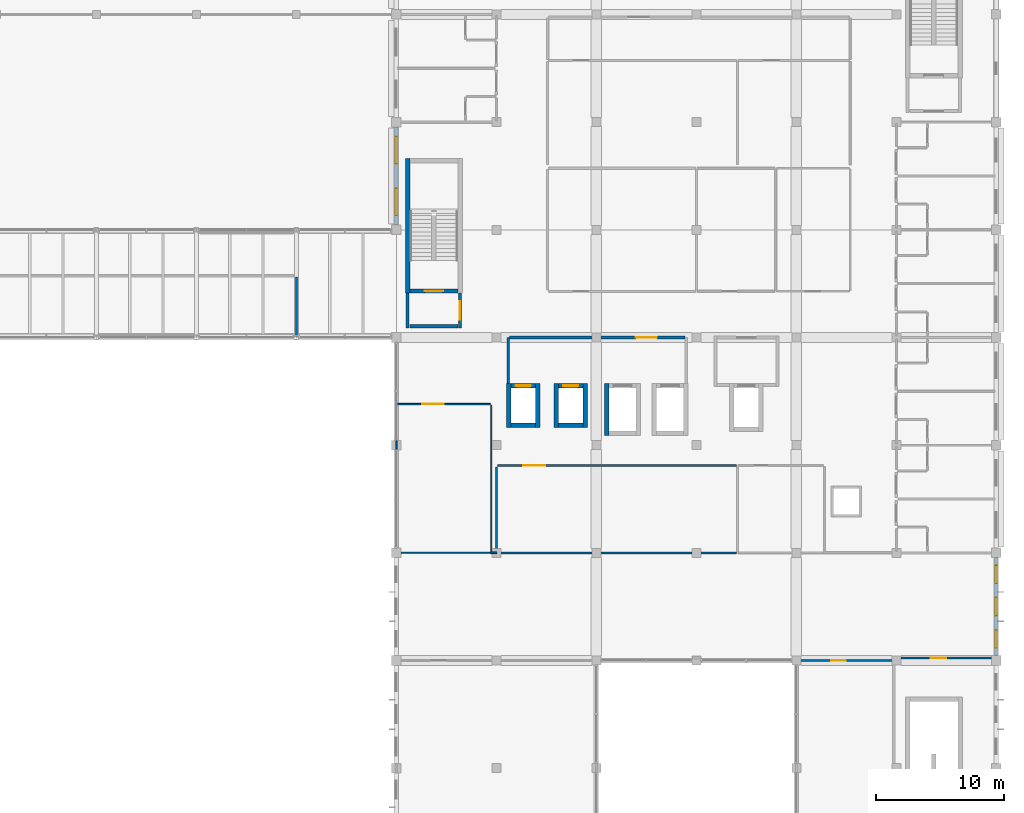
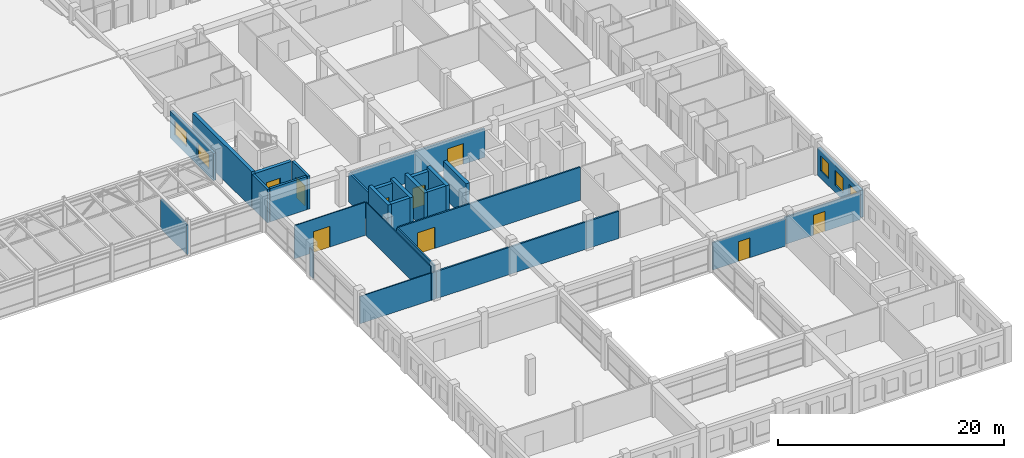
# One storey, part 53 of 72: 29 walls, 9 doors, 5 windows, 14 openings.
"""IFC4 building model written with IfcOpenShell, lengths in metres."""

from ifc_helpers import new_model, si_unit, direction, frame, frame_2d, origin, place, context, subcontext, project, spatial, rectangle, extrude, material, layer, layer_set, type_object, element, fill, save


model = new_model("IFC4")

# Units and contexts
model_context = context("Model", 3, precision=1e-05, world=origin(), true_north=direction((0.0, 1.0)))
body_context = subcontext(model_context, "Body", "Model", "MODEL_VIEW")
ifc_project = project(units=[si_unit("LENGTHUNIT", "METRE"), si_unit("AREAUNIT", "SQUARE_METRE"), si_unit("VOLUMEUNIT", "CUBIC_METRE"), si_unit("PLANEANGLEUNIT", "RADIAN"), si_unit("MASSUNIT", "GRAM", prefix="KILO"), si_unit("THERMODYNAMICTEMPERATUREUNIT", "KELVIN"), si_unit("POWERUNIT", "WATT")], contexts=[model_context])

# Site, building, storey
site_placement = place(None, origin())
site = spatial("IfcSite", under=ifc_project, at=site_placement, CompositionType="ELEMENT")
building_placement = place(site_placement, origin())
building = spatial("IfcBuilding", under=site, at=building_placement, Name="Srebrne Nadtorze General Hospital", CompositionType="ELEMENT")
storey_placement = place(building_placement, frame((0.0, 0.0, 22.199951171875)))
storey = spatial("IfcBuildingStorey", under=building, at=storey_placement, Name="L05", CompositionType="ELEMENT", Elevation=22.199951171875)

# Wall, opening, door
ifc_material_1 = material(Name="Gypsum Healthcare Partition")
ifc_layer_1 = layer(ifc_material_1, 0.139892578125)
ifc_layer_set_1 = layer_set([ifc_layer_1], Name="Gypsum Healthcare Partition")
wall_type_1 = type_object("IfcWallType", Name="Clinical partition 140", PredefinedType="PARTITIONING", material=ifc_layer_set_1)
wall_1_placement = place(storey_placement, frame((140.155029296875, 25.39990234375, 0.0), z_axis=(0.0, 0.0, 1.0), x_axis=(1.0, 0.0, 0.0)))
wall_1 = element("IfcWall", 1, at=wall_1_placement, inside=storey, type_object=wall_type_1, Name="Outpatient Gastroenterology Procedure Unit wall WL-INT-L05-2171", PredefinedType="PARTITIONING", context=body_context, shape_type="SweptSolid", body=[
    extrude(rectangle(XDim=7.760009765625, YDim=0.139892578125, at=frame_2d((3.8798828125, 0.0))), origin(), (0.0, 0.0, 1.0), 2.949951171875),
])
opening_1_placement = place(wall_1_placement, frame((2.943359375, 0.0, 0.0)))
opening_1 = element("IfcOpeningElement", 2, at=opening_1_placement, cuts=wall_1, Name="Opening D-L05-0466", PredefinedType="OPENING", context=body_context, shape_type="SweptSolid", body=[
    extrude(rectangle(XDim=1.199951171875, YDim=2.14990234375, at=frame_2d((0.60009765625, 1.074951171875))), frame((0.0, 0.08203125, 0.0), z_axis=(0.0, -1.0, 0.0), x_axis=(1.0, 0.0, 0.0)), (0.0, 0.0, 1.0), 0.163818359375),
])
ifc_material_2 = material(Name="Anodised Aluminium", Category="aluminium")
door_type_1 = type_object("IfcDoorType", Name="Single leaf door 1200x2150", OperationType="NOTDEFINED", PredefinedType="DOOR", material=ifc_material_2)
door_1_placement = place(opening_1_placement, origin())
door_1 = element("IfcDoor", 3, at=door_1_placement, inside=storey, type_object=door_type_1, Name="Outpatient Gastroenterology Procedure Unit door D-L05-0466", OperationType="SINGLE_SWING_LEFT", OverallHeight=2.14990234375, OverallWidth=1.199951171875, PredefinedType="DOOR", context=body_context, shape_type="SweptSolid", body=[
    extrude(rectangle(XDim=1.199951171875, YDim=2.14990234375, at=frame_2d((0.60009765625, 1.074951171875))), frame((0.0, 0.02490234375, 0.0), z_axis=(0.0, -1.0, 0.0), x_axis=(1.0, 0.0, 0.0)), (0.0, 0.0, 1.0), 0.050048828125),
])
fill(opening_1, door_1)

# Wall
wall_2_placement = place(storey_placement, frame((108.7548828125, 33.60009765625, 0.0), z_axis=(0.0, 0.0, 1.0), x_axis=(1.0, 0.0, 0.0)))
element("IfcWall", 4, at=wall_2_placement, inside=storey, type_object=wall_type_1, Name="Outpatient Gastroenterology Procedure Unit wall WL-INT-L05-2172", PredefinedType="PARTITIONING", context=body_context, shape_type="SweptSolid", body=[
    extrude(rectangle(XDim=0.490234375, YDim=0.139892578125, at=frame_2d((0.2451171875, 0.0))), origin(), (0.0, 0.0, 1.0), 2.949951171875),
])

# Wall, opening, door
ifc_material_3 = material(Name="Gypsum Healthcare Partition")
ifc_layer_2 = layer(ifc_material_3, 0.159912109375)
ifc_layer_set_2 = layer_set([ifc_layer_2], Name="Gypsum Healthcare Partition")
wall_type_2 = type_object("IfcWallType", Name="Clinical partition 160", PredefinedType="PARTITIONING", material=ifc_layer_set_2)
wall_3_placement = place(storey_placement, frame((109.284912109375, 40.39990234375, 0.0), z_axis=(0.0, 0.0, 1.0), x_axis=(1.0, 0.0, 0.0)))
wall_3 = element("IfcWall", 5, at=wall_3_placement, inside=storey, type_object=wall_type_2, Name="Inpatient Family Consultation Room wall WL-INT-L05-2146", PredefinedType="PARTITIONING", context=body_context, shape_type="SweptSolid", body=[
    extrude(rectangle(XDim=18.630126953125, YDim=0.159912109375, at=frame_2d((9.31494140625, 0.0))), origin(), (0.0, 0.0, 1.0), 3.580078125),
])
opening_2_placement = place(wall_3_placement, frame((1.99267578125, 0.0, 0.0)))
opening_2 = element("IfcOpeningElement", 6, at=opening_2_placement, cuts=wall_3, Name="Opening D-L05-0459", PredefinedType="OPENING", context=body_context, shape_type="SweptSolid", body=[
    extrude(rectangle(XDim=1.75, YDim=2.300048828125, at=frame_2d((0.875, 1.14990234375))), frame((0.0, 0.091796875, 0.0), z_axis=(0.0, -1.0, 0.0), x_axis=(1.0, 0.0, 0.0)), (0.0, 0.0, 1.0), 0.183837890625),
])
ifc_material_4 = material(Name="Anodised Aluminium", Category="aluminium")
door_type_2 = type_object("IfcDoorType", Name="Double leaf door 1750x2300", OperationType="DOUBLE_DOOR_SINGLE_SWING", PredefinedType="DOOR", material=ifc_material_4)
door_2_placement = place(opening_2_placement, frame((1.75, 0.0, 0.0), z_axis=(0.0, 0.0, 1.0), x_axis=(-1.0, 0.0, 0.0)))
door_2 = element("IfcDoor", 7, at=door_2_placement, inside=storey, type_object=door_type_2, Name="Inpatient Family Consultation Room door D-L05-0459", OperationType="DOUBLE_DOOR_SINGLE_SWING", OverallHeight=2.300048828125, OverallWidth=1.75, PredefinedType="DOOR", context=body_context, shape_type="SweptSolid", body=[
    extrude(rectangle(XDim=1.75, YDim=2.300048828125, at=frame_2d((0.875, 1.14990234375))), frame((0.0, 0.02490234375, 0.0), z_axis=(0.0, -1.0, 0.0), x_axis=(1.0, 0.0, 0.0)), (0.0, 0.0, 1.0), 0.050048828125),
])
fill(opening_2, door_2)

# Walls
wall_4_placement = place(storey_placement, frame((109.284912109375, 33.60009765625, 0.0), z_axis=(0.0, 0.0, 1.0), x_axis=(1.0, 0.0, 0.0)))
element("IfcWall", 8, at=wall_4_placement, inside=storey, type_object=wall_type_2, Name="Inpatient Family Consultation Room wall WL-INT-L05-2147", PredefinedType="PARTITIONING", context=body_context, shape_type="SweptSolid", body=[
    extrude(rectangle(XDim=18.630126953125, YDim=0.159912109375, at=frame_2d((9.31494140625, 0.0))), origin(), (0.0, 0.0, 1.0), 2.949951171875),
])
wall_5_placement = place(storey_placement, frame((109.199951171875, 33.68505859375, 0.0), z_axis=(0.0, 0.0, 1.0), x_axis=(0.0, 1.0, 0.0)))
element("IfcWall", 9, at=wall_5_placement, inside=storey, type_object=wall_type_2, Name="Inpatient Family Consultation Room wall WL-INT-L05-2148", PredefinedType="PARTITIONING", context=body_context, shape_type="SweptSolid", body=[
    extrude(rectangle(XDim=6.6298828125, YDim=0.159912109375, at=frame_2d((3.31494140625, 0.0))), origin(), (0.0, 0.0, 1.0), 3.580078125),
])

# Wall, opening, door
wall_6_placement = place(storey_placement, frame((132.68505859375, 25.199951171875, 0.0), z_axis=(0.0, 0.0, 1.0), x_axis=(1.0, 0.0, 0.0)))
wall_6 = element("IfcWall", 10, at=wall_6_placement, inside=storey, type_object=wall_type_2, Name="Outpatient Pain Management Clinic wall WL-INT-L05-2167", PredefinedType="PARTITIONING", context=body_context, shape_type="SweptSolid", body=[
    extrude(rectangle(XDim=7.429931640625, YDim=0.159912109375, at=frame_2d((3.71484375, 0.0))), origin(), (0.0, 0.0, 1.0), 2.949951171875),
])
opening_3_placement = place(wall_6_placement, frame((2.6298828125, 0.0, 0.0)))
opening_3 = element("IfcOpeningElement", 11, at=opening_3_placement, cuts=wall_6, Name="Opening D-L05-0465", PredefinedType="OPENING", context=body_context, shape_type="SweptSolid", body=[
    extrude(rectangle(XDim=1.14990234375, YDim=2.14990234375, at=frame_2d((0.574951171875, 1.074951171875))), frame((0.0, 0.091796875, 0.0), z_axis=(0.0, -1.0, 0.0), x_axis=(1.0, 0.0, 0.0)), (0.0, 0.0, 1.0), 0.183837890625),
])
ifc_material_5 = material(Name="Anodised Aluminium", Category="aluminium")
door_type_3 = type_object("IfcDoorType", Name="Single leaf door 1150x2150", OperationType="NOTDEFINED", PredefinedType="DOOR", material=ifc_material_5)
door_3_placement = place(opening_3_placement, frame((1.14990234375, 0.0, 0.0), z_axis=(0.0, 0.0, 1.0), x_axis=(-1.0, 0.0, 0.0)))
door_3 = element("IfcDoor", 12, at=door_3_placement, inside=storey, type_object=door_type_3, Name="Outpatient Pain Management Clinic door D-L05-0465", OperationType="SINGLE_SWING_RIGHT", OverallHeight=2.14990234375, OverallWidth=1.14990234375, PredefinedType="DOOR", context=body_context, shape_type="SweptSolid", body=[
    extrude(rectangle(XDim=1.14990234375, YDim=2.14990234375, at=frame_2d((0.574951171875, 1.074951171875))), frame((0.0, 0.02490234375, 0.0), z_axis=(0.0, -1.0, 0.0), x_axis=(1.0, 0.0, 0.0)), (0.0, 0.0, 1.0), 0.050048828125),
])
fill(opening_3, door_3)

# Walls
wall_7_placement = place(storey_placement, frame((93.60009765625, 50.485107421875, 0.0), z_axis=(0.0, 0.0, 1.0), x_axis=(0.0, 1.0, 0.0)))
element("IfcWall", 13, at=wall_7_placement, inside=storey, type_object=wall_type_2, Name="Patient Wintergarden Day Lounge wall WL-INT-L05-2177", PredefinedType="PARTITIONING", context=body_context, shape_type="SweptSolid", body=[
    extrude(rectangle(XDim=4.6298828125, YDim=0.159912109375, at=frame_2d((2.31494140625, 0.0))), origin(), (0.0, 0.0, 1.0), 3.199951171875),
])
ifc_material_6 = material(Name="Gypsum Healthcare Partition")
ifc_layer_3 = layer(ifc_material_6, 0.199951171875)
ifc_layer_set_3 = layer_set([ifc_layer_3], Name="Gypsum Healthcare Partition")
wall_type_3 = type_object("IfcWallType", Name="Compartment wall 200", PredefinedType="STANDARD", material=ifc_layer_set_3)
wall_8_placement = place(storey_placement, frame((110.1298828125, 46.81005859375, 0.0), z_axis=(0.0, 0.0, 1.0), x_axis=(0.0, 1.0, 0.0)))
element("IfcWall", 14, at=wall_8_placement, inside=storey, type_object=wall_type_3, Name="Lift lobby side wall WL-INT-L05-1106", PredefinedType="STANDARD", context=body_context, shape_type="SweptSolid", body=[
    extrude(rectangle(XDim=3.58984375, YDim=0.199951171875, at=frame_2d((1.794921875, 0.0))), origin(), (0.0, 0.0, 1.0), 3.10009765625),
])

# Wall, opening, door
wall_9_placement = place(storey_placement, frame((110.22998046875, 50.39990234375, 0.0), z_axis=(0.0, 0.0, 1.0), x_axis=(1.0, 0.0, 0.0)))
wall_9 = element("IfcWall", 15, at=wall_9_placement, inside=storey, type_object=wall_type_3, Name="Lift lobby corridor wall WL-INT-L05-1108", PredefinedType="STANDARD", context=body_context, shape_type="SweptSolid", body=[
    extrude(rectangle(XDim=13.68994140625, YDim=0.199951171875, at=frame_2d((6.844970703125, 0.0))), origin(), (0.0, 0.0, 1.0), 3.10009765625),
])
opening_4_placement = place(wall_9_placement, frame((9.844970703125, 0.0, 0.0)))
opening_4 = element("IfcOpeningElement", 16, at=opening_4_placement, cuts=wall_9, Name="Opening D-L05-0151", PredefinedType="OPENING", context=body_context, shape_type="SweptSolid", body=[
    extrude(rectangle(XDim=1.64990234375, YDim=2.25, at=frame_2d((0.824951171875, 1.125))), frame((0.0, 0.11181640625, 0.0), z_axis=(0.0, -1.0, 0.0), x_axis=(1.0, 0.0, 0.0)), (0.0, 0.0, 1.0), 0.223876953125),
])
ifc_material_7 = material(Name="Anodised Aluminium", Category="aluminium")
door_type_4 = type_object("IfcDoorType", Name="Double leaf door 1650x2250", OperationType="DOUBLE_DOOR_SINGLE_SWING", PredefinedType="DOOR", material=ifc_material_7)
door_4_placement = place(opening_4_placement, origin())
door_4 = element("IfcDoor", 17, at=door_4_placement, inside=storey, type_object=door_type_4, Name="Lift lobby corridor door D-L05-0151", OperationType="DOUBLE_DOOR_SINGLE_SWING", OverallHeight=2.25, OverallWidth=1.64990234375, PredefinedType="DOOR", context=body_context, shape_type="SweptSolid", body=[
    extrude(rectangle(XDim=1.64990234375, YDim=2.25, at=frame_2d((0.824951171875, 1.125))), frame((0.0, 0.02490234375, 0.0), z_axis=(0.0, -1.0, 0.0), x_axis=(1.0, 0.0, 0.0)), (0.0, 0.0, 1.0), 0.050048828125),
])
fill(opening_4, door_4)

# Wall
ifc_material_8 = material(Name="Gypsum Healthcare Partition")
ifc_layer_4 = layer(ifc_material_8, 0.239990234375)
ifc_layer_set_4 = layer_set([ifc_layer_4], Name="Gypsum Healthcare Partition")
wall_type_4 = type_object("IfcWallType", Name="Corridor fire wall 240", PredefinedType="STANDARD", material=ifc_layer_set_4)
wall_10_placement = place(storey_placement, frame((102.27490234375, 51.155029296875, 0.0), z_axis=(0.0, 0.0, 1.0), x_axis=(0.0, 1.0, 0.0)))
element("IfcWall", 18, at=wall_10_placement, inside=storey, type_object=wall_type_4, Name="Fire lobby wall ST-03 WL-INT-L05-0357", PredefinedType="STANDARD", context=body_context, shape_type="SweptSolid", body=[
    extrude(rectangle(XDim=2.695068359375, YDim=0.239990234375, at=frame_2d((1.34765625, 0.0))), origin(), (0.0, 0.0, 1.0), 3.60009765625),
])

# Wall, opening, door
wall_11_placement = place(storey_placement, frame((106.375, 51.155029296875, 0.0), z_axis=(0.0, 0.0, 1.0), x_axis=(0.0, 1.0, 0.0)))
wall_11 = element("IfcWall", 19, at=wall_11_placement, inside=storey, type_object=wall_type_4, Name="Fire lobby wall ST-03 WL-INT-L05-0358", PredefinedType="STANDARD", context=body_context, shape_type="SweptSolid", body=[
    extrude(rectangle(XDim=2.695068359375, YDim=0.239990234375, at=frame_2d((1.34765625, 0.0))), origin(), (0.0, 0.0, 1.0), 3.60009765625),
])
opening_5_placement = place(wall_11_placement, frame((0.62255859375, 0.0, 0.0)))
opening_5 = element("IfcOpeningElement", 20, at=opening_5_placement, cuts=wall_11, Name="Opening D-L05-0090", PredefinedType="OPENING", context=body_context, shape_type="SweptSolid", body=[
    extrude(rectangle(XDim=1.449951171875, YDim=2.199951171875, at=frame_2d((0.72509765625, 1.10009765625))), frame((0.0, 0.1318359375, 0.0), z_axis=(0.0, -1.0, 0.0), x_axis=(1.0, 0.0, 0.0)), (0.0, 0.0, 1.0), 0.263916015625),
])
ifc_material_9 = material(Name="Anodised Aluminium", Category="aluminium")
door_type_5 = type_object("IfcDoorType", Name="Double leaf door 1450x2200", OperationType="DOUBLE_DOOR_SINGLE_SWING", PredefinedType="DOOR", material=ifc_material_9)
door_5_placement = place(opening_5_placement, origin())
door_5 = element("IfcDoor", 21, at=door_5_placement, inside=storey, type_object=door_type_5, Name="Fire lobby door ST-03 D-L05-0090", OperationType="DOUBLE_DOOR_SINGLE_SWING", OverallHeight=2.199951171875, OverallWidth=1.449951171875, PredefinedType="DOOR", context=body_context, shape_type="SweptSolid", body=[
    extrude(rectangle(XDim=1.449951171875, YDim=2.199951171875, at=frame_2d((0.72509765625, 1.10009765625))), frame((0.0, 0.02490234375, 0.0), z_axis=(0.0, -1.0, 0.0), x_axis=(1.0, 0.0, 0.0)), (0.0, 0.0, 1.0), 0.050048828125),
])
fill(opening_5, door_5)

# Wall
wall_12_placement = place(storey_placement, frame((102.449951171875, 51.27490234375, 0.0), z_axis=(0.0, 0.0, 1.0), x_axis=(1.0, 0.0, 0.0)))
element("IfcWall", 22, at=wall_12_placement, inside=storey, type_object=wall_type_4, Name="Fire lobby entry wall ST-03 WL-INT-L05-0359", PredefinedType="STANDARD", context=body_context, shape_type="SweptSolid", body=[
    extrude(rectangle(XDim=3.75, YDim=0.239990234375, at=frame_2d((1.875, 0.0))), origin(), (0.0, 0.0, 1.0), 3.60009765625),
])

# Wall, openings, windows
ifc_material_10 = material(Name="Concrete C40/50 precast", Category="concrete")
ifc_layer_5 = layer(ifc_material_10, 0.300048828125)
ifc_layer_set_5 = layer_set([ifc_layer_5], Name="Concrete C40/50 precast")
wall_type_5 = type_object("IfcWallType", Name="Limestone precast wall 300", PredefinedType="STANDARD", material=ifc_layer_set_5)
wall_13_placement = place(storey_placement, frame((148.199951171875, 25.574951171875, 0.0), z_axis=(0.0, 0.0, 1.0), x_axis=(0.0, 1.0, 0.0)))
wall_13 = element("IfcWall", 23, at=wall_13_placement, inside=storey, type_object=wall_type_5, Name="Exterior wall WL-ENV-L05-0452", PredefinedType="STANDARD", context=body_context, shape_type="SweptSolid", body=[
    extrude(rectangle(XDim=7.650146484375, YDim=0.300048828125, at=frame_2d((3.8251953125, 0.0))), origin(), (0.0, 0.0, 1.0), 2.949951171875),
])
opening_6_placement = place(wall_13_placement, frame((0.60498046875, 0.0, 0.800048828125)))
opening_6 = element("IfcOpeningElement", 24, at=opening_6_placement, cuts=wall_13, Name="Opening WN-L05-0738", PredefinedType="OPENING", context=body_context, shape_type="SweptSolid", body=[
    extrude(rectangle(XDim=1.39990234375, YDim=1.60009765625, at=frame_2d((0.699951171875, 0.800048828125))), frame((0.0, 0.162109375, 0.0), z_axis=(0.0, -1.0, 0.0), x_axis=(1.0, 0.0, 0.0)), (0.0, 0.0, 1.0), 0.323974609375),
])
opening_7_placement = place(wall_13_placement, frame((3.125, 0.0, 0.800048828125)))
opening_7 = element("IfcOpeningElement", 25, at=opening_7_placement, cuts=wall_13, Name="Opening WN-L05-0739", PredefinedType="OPENING", context=body_context, shape_type="SweptSolid", body=[
    extrude(rectangle(XDim=1.39990234375, YDim=1.60009765625, at=frame_2d((0.699951171875, 0.800048828125))), frame((0.0, 0.162109375, 0.0), z_axis=(0.0, -1.0, 0.0), x_axis=(1.0, 0.0, 0.0)), (0.0, 0.0, 1.0), 0.323974609375),
])
opening_8_placement = place(wall_13_placement, frame((5.64501953125, 0.0, 0.800048828125)))
opening_8 = element("IfcOpeningElement", 26, at=opening_8_placement, cuts=wall_13, Name="Opening WN-L05-0740", PredefinedType="OPENING", context=body_context, shape_type="SweptSolid", body=[
    extrude(rectangle(XDim=1.39990234375, YDim=1.60009765625, at=frame_2d((0.699951171875, 0.800048828125))), frame((0.0, 0.162109375, 0.0), z_axis=(0.0, -1.0, 0.0), x_axis=(1.0, 0.0, 0.0)), (0.0, 0.0, 1.0), 0.323974609375),
])
ifc_material_11 = material(Name="Triple Low-E Glazing", Category="glass")
window_type_1 = type_object("IfcWindowType", Name="Punched clinical window 1400x1600", PartitioningType="SINGLE_PANEL", PredefinedType="WINDOW", material=ifc_material_11)
window_1_placement = place(opening_6_placement, origin())
window_1 = element("IfcWindow", 27, at=window_1_placement, inside=storey, type_object=window_type_1, Name="Clinical window WN-L05-0738", OverallHeight=1.60009765625, OverallWidth=1.39990234375, PartitioningType="SINGLE_PANEL", PredefinedType="WINDOW", context=body_context, shape_type="SweptSolid", body=[
    extrude(rectangle(XDim=1.39990234375, YDim=1.60009765625, at=frame_2d((0.699951171875, 0.800048828125))), frame((0.0, 0.030029296875, 0.0), z_axis=(0.0, -1.0, 0.0), x_axis=(1.0, 0.0, 0.0)), (0.0, 0.0, 1.0), 0.06005859375),
])
fill(opening_6, window_1)
window_2_placement = place(opening_7_placement, origin())
window_2 = element("IfcWindow", 28, at=window_2_placement, inside=storey, type_object=window_type_1, Name="Clinical window WN-L05-0739", OverallHeight=1.60009765625, OverallWidth=1.39990234375, PartitioningType="SINGLE_PANEL", PredefinedType="WINDOW", context=body_context, shape_type="SweptSolid", body=[
    extrude(rectangle(XDim=1.39990234375, YDim=1.60009765625, at=frame_2d((0.699951171875, 0.800048828125))), frame((0.0, 0.030029296875, 0.0), z_axis=(0.0, -1.0, 0.0), x_axis=(1.0, 0.0, 0.0)), (0.0, 0.0, 1.0), 0.06005859375),
])
fill(opening_7, window_2)
window_3_placement = place(opening_8_placement, origin())
window_3 = element("IfcWindow", 29, at=window_3_placement, inside=storey, type_object=window_type_1, Name="Clinical window WN-L05-0740", OverallHeight=1.60009765625, OverallWidth=1.39990234375, PartitioningType="SINGLE_PANEL", PredefinedType="WINDOW", context=body_context, shape_type="SweptSolid", body=[
    extrude(rectangle(XDim=1.39990234375, YDim=1.60009765625, at=frame_2d((0.699951171875, 0.800048828125))), frame((0.0, 0.030029296875, 0.0), z_axis=(0.0, -1.0, 0.0), x_axis=(1.0, 0.0, 0.0)), (0.0, 0.0, 1.0), 0.06005859375),
])
fill(opening_8, window_3)

# Wall, opening, door
ifc_material_12 = material(Name="Gypsum Healthcare Partition")
ifc_layer_6 = layer(ifc_material_12, 0.10009765625)
ifc_layer_set_6 = layer_set([ifc_layer_6], Name="Gypsum Healthcare Partition")
wall_type_6 = type_object("IfcWallType", Name="Shaft lining wall 100", PredefinedType="PARTITIONING", material=ifc_layer_set_6)
wall_14_placement = place(storey_placement, frame((101.485107421875, 45.199951171875, 0.0), z_axis=(0.0, 0.0, 1.0), x_axis=(1.0, 0.0, 0.0)))
wall_14 = element("IfcWall", 30, at=wall_14_placement, inside=storey, type_object=wall_type_6, Name="Ward Clinical Pharmacy Satellite wall WL-INT-L05-2142", PredefinedType="PARTITIONING", context=body_context, shape_type="SweptSolid", body=[
    extrude(rectangle(XDim=7.22998046875, YDim=0.10009765625, at=frame_2d((3.614990234375, 0.0))), origin(), (0.0, 0.0, 1.0), 3.580078125),
])
opening_9_placement = place(wall_14_placement, frame((1.943359375, 0.0, 0.0)))
opening_9 = element("IfcOpeningElement", 31, at=opening_9_placement, cuts=wall_14, Name="Opening D-L05-0458", PredefinedType="OPENING", context=body_context, shape_type="SweptSolid", body=[
    extrude(rectangle(XDim=1.64990234375, YDim=2.25, at=frame_2d((0.824951171875, 1.125))), frame((0.0, 0.06201171875, 0.0), z_axis=(0.0, -1.0, 0.0), x_axis=(1.0, 0.0, 0.0)), (0.0, 0.0, 1.0), 0.1240234375),
])
door_6_placement = place(opening_9_placement, frame((1.64990234375, 0.0, 0.0), z_axis=(0.0, 0.0, 1.0), x_axis=(-1.0, 0.0, 0.0)))
door_6 = element("IfcDoor", 32, at=door_6_placement, inside=storey, type_object=door_type_4, Name="Ward Clinical Pharmacy Satellite door D-L05-0458", OperationType="DOUBLE_DOOR_SINGLE_SWING", OverallHeight=2.25, OverallWidth=1.64990234375, PredefinedType="DOOR", context=body_context, shape_type="SweptSolid", body=[
    extrude(rectangle(XDim=1.64990234375, YDim=2.25, at=frame_2d((0.824951171875, 1.125))), frame((0.0, 0.02490234375, 0.0), z_axis=(0.0, -1.0, 0.0), x_axis=(1.0, 0.0, 0.0)), (0.0, 0.0, 1.0), 0.050048828125),
])
fill(opening_9, door_6)

# Walls
wall_15_placement = place(storey_placement, frame((101.485107421875, 33.60009765625, 0.0), z_axis=(0.0, 0.0, 1.0), x_axis=(1.0, 0.0, 0.0)))
element("IfcWall", 33, at=wall_15_placement, inside=storey, type_object=wall_type_6, Name="Ward Clinical Pharmacy Satellite wall WL-INT-L05-2143", PredefinedType="PARTITIONING", context=body_context, shape_type="SweptSolid", body=[
    extrude(rectangle(XDim=7.22998046875, YDim=0.10009765625, at=frame_2d((3.614990234375, 0.0))), origin(), (0.0, 0.0, 1.0), 2.949951171875),
])
wall_16_placement = place(storey_placement, frame((101.39990234375, 41.6650390625, 0.0), z_axis=(0.0, 0.0, 1.0), x_axis=(0.0, 1.0, 0.0)))
element("IfcWall", 34, at=wall_16_placement, inside=storey, type_object=wall_type_6, Name="Ward Clinical Pharmacy Satellite wall WL-INT-L05-2144", PredefinedType="PARTITIONING", context=body_context, shape_type="SweptSolid", body=[
    extrude(rectangle(XDim=0.669921875, YDim=0.10009765625, at=frame_2d((0.3349609375, 0.0))), origin(), (0.0, 0.0, 1.0), 2.949951171875),
])
wall_17_placement = place(storey_placement, frame((108.800048828125, 33.68505859375, 0.0), z_axis=(0.0, 0.0, 1.0), x_axis=(0.0, 1.0, 0.0)))
element("IfcWall", 35, at=wall_17_placement, inside=storey, type_object=wall_type_6, Name="Ward Clinical Pharmacy Satellite wall WL-INT-L05-2145", PredefinedType="PARTITIONING", context=body_context, shape_type="SweptSolid", body=[
    extrude(rectangle(XDim=11.429931640625, YDim=0.10009765625, at=frame_2d((5.71484375, 0.0))), origin(), (0.0, 0.0, 1.0), 3.580078125),
])
ifc_material_13 = material(Name="Concrete C40/50", Category="concrete")
ifc_layer_7 = layer(ifc_material_13, 0.35009765625)
ifc_layer_set_7 = layer_set([ifc_layer_7], Name="Concrete C40/50")
wall_type_7 = type_object("IfcWallType", Name="Shear core wall 350", PredefinedType="SHEAR", material=ifc_layer_set_7)
wall_18_placement = place(storey_placement, frame((102.27490234375, 53.85009765625, 0.0), z_axis=(0.0, 0.0, 1.0), x_axis=(0.0, 1.0, 0.0)))
element("IfcWall", 36, at=wall_18_placement, inside=storey, type_object=wall_type_7, Name="Stair core wall ST-03 WL-INT-L05-0353", PredefinedType="SHEAR", context=body_context, shape_type="SweptSolid", body=[
    extrude(rectangle(XDim=10.5, YDim=0.35009765625, at=frame_2d((5.25, 0.0))), origin(), (0.0, 0.0, 1.0), 3.900146484375),
])

# Wall, opening, door
wall_19_placement = place(storey_placement, frame((102.449951171875, 54.02490234375, 0.0), z_axis=(0.0, 0.0, 1.0), x_axis=(1.0, 0.0, 0.0)))
wall_19 = element("IfcWall", 37, at=wall_19_placement, inside=storey, type_object=wall_type_7, Name="Stairwell fire wall ST-03 WL-INT-L05-0356", PredefinedType="SHEAR", context=body_context, shape_type="SweptSolid", body=[
    extrude(rectangle(XDim=3.75, YDim=0.35009765625, at=frame_2d((1.875, 0.0))), origin(), (0.0, 0.0, 1.0), 3.60009765625),
])
opening_10_placement = place(wall_19_placement, frame((1.14990234375, 0.0, 0.0)))
opening_10 = element("IfcOpeningElement", 38, at=opening_10_placement, cuts=wall_19, Name="Opening D-L05-0089", PredefinedType="OPENING", context=body_context, shape_type="SweptSolid", body=[
    extrude(rectangle(XDim=1.449951171875, YDim=2.199951171875, at=frame_2d((0.72509765625, 1.10009765625))), frame((0.0, 0.18701171875, 0.0), z_axis=(0.0, -1.0, 0.0), x_axis=(1.0, 0.0, 0.0)), (0.0, 0.0, 1.0), 0.3740234375),
])
door_7_placement = place(opening_10_placement, origin())
door_7 = element("IfcDoor", 39, at=door_7_placement, inside=storey, type_object=door_type_5, Name="Protected stair door ST-03 D-L05-0089", OperationType="DOUBLE_DOOR_SINGLE_SWING", OverallHeight=2.199951171875, OverallWidth=1.449951171875, PredefinedType="DOOR", context=body_context, shape_type="SweptSolid", body=[
    extrude(rectangle(XDim=1.449951171875, YDim=2.199951171875, at=frame_2d((0.72509765625, 1.10009765625))), frame((0.0, 0.02490234375, 0.0), z_axis=(0.0, -1.0, 0.0), x_axis=(1.0, 0.0, 0.0)), (0.0, 0.0, 1.0), 0.050048828125),
])
fill(opening_10, door_7)

# Walls
for number, where, z_axis, x_axis, name in (
    (40, (110.175048828125, 43.360107421875, 0.0), (0.0, 0.0, 1.0), (0.0, 1.0, 0.0), "Lift shaft wall LP-03 WL-INT-L05-0722"),
    (41, (112.425048828125, 43.360107421875, 0.0), (0.0, 0.0, 1.0), (0.0, 1.0, 0.0), "Lift shaft wall LP-03 WL-INT-L05-0723"),
):
    element("IfcWall", number, at=place(storey_placement, frame(where, z_axis=z_axis, x_axis=x_axis)), inside=storey, type_object=wall_type_7, Name=name, PredefinedType="SHEAR", context=body_context, shape_type="SweptSolid", body=[
        extrude(rectangle(XDim=3.449951171875, YDim=0.35009765625, at=frame_2d((1.72509765625, 0.0))), origin(), (0.0, 0.0, 1.0), 3.900146484375),
    ])
wall_20_placement = place(storey_placement, frame((110.35009765625, 43.534912109375, 0.0), z_axis=(0.0, 0.0, 1.0), x_axis=(1.0, 0.0, 0.0)))
element("IfcWall", 42, at=wall_20_placement, inside=storey, type_object=wall_type_7, Name="Lift shaft back wall LP-03 WL-INT-L05-0724", PredefinedType="SHEAR", context=body_context, shape_type="SweptSolid", body=[
    extrude(rectangle(XDim=1.89990234375, YDim=0.35009765625, at=frame_2d((0.949951171875, 0.0))), origin(), (0.0, 0.0, 1.0), 3.900146484375),
])

# Wall, opening, door
wall_21_placement = place(storey_placement, frame((110.35009765625, 46.635009765625, 0.0), z_axis=(0.0, 0.0, 1.0), x_axis=(1.0, 0.0, 0.0)))
wall_21 = element("IfcWall", 43, at=wall_21_placement, inside=storey, type_object=wall_type_7, Name="Lift shaft front wall LP-03 WL-INT-L05-0725", PredefinedType="SHEAR", context=body_context, shape_type="SweptSolid", body=[
    extrude(rectangle(XDim=1.89990234375, YDim=0.35009765625, at=frame_2d((0.949951171875, 0.0))), origin(), (0.0, 0.0, 1.0), 3.60009765625),
])
opening_11_placement = place(wall_21_placement, frame((0.35009765625, 0.0, 0.0)))
opening_11 = element("IfcOpeningElement", 44, at=opening_11_placement, cuts=wall_21, Name="Opening LD-L05-065", PredefinedType="OPENING", context=body_context, shape_type="SweptSolid", body=[
    extrude(rectangle(XDim=1.199951171875, YDim=2.199951171875, at=frame_2d((0.60009765625, 1.10009765625))), frame((0.0, 0.18701171875, 0.0), z_axis=(0.0, -1.0, 0.0), x_axis=(1.0, 0.0, 0.0)), (0.0, 0.0, 1.0), 0.3740234375),
])
ifc_material_14 = material(Name="Anodised Aluminium", Category="aluminium")
door_type_6 = type_object("IfcDoorType", Name="Sliding lift door 1200x2200", OperationType="SLIDING_TO_LEFT", PredefinedType="DOOR", material=ifc_material_14)
door_8_placement = place(opening_11_placement, origin())
door_8 = element("IfcDoor", 45, at=door_8_placement, inside=storey, type_object=door_type_6, Name="Lift Landing Door LD-L05-065", OperationType="SLIDING_TO_LEFT", OverallHeight=2.199951171875, OverallWidth=1.199951171875, PredefinedType="DOOR", context=body_context, shape_type="SweptSolid", body=[
    extrude(rectangle(XDim=1.199951171875, YDim=2.199951171875, at=frame_2d((0.60009765625, 1.10009765625))), frame((0.0, 0.02490234375, 0.0), z_axis=(0.0, -1.0, 0.0), x_axis=(1.0, 0.0, 0.0)), (0.0, 0.0, 1.0), 0.050048828125),
])
fill(opening_11, door_8)

# Walls
for number, where, z_axis, x_axis, name in (
    (46, (113.875, 43.360107421875, 0.0), (0.0, 0.0, 1.0), (0.0, 1.0, 0.0), "Lift shaft wall LP-04 WL-INT-L05-0754"),
    (47, (116.125, 43.360107421875, 0.0), (0.0, 0.0, 1.0), (0.0, 1.0, 0.0), "Lift shaft wall LP-04 WL-INT-L05-0755"),
):
    element("IfcWall", number, at=place(storey_placement, frame(where, z_axis=z_axis, x_axis=x_axis)), inside=storey, type_object=wall_type_7, Name=name, PredefinedType="SHEAR", context=body_context, shape_type="SweptSolid", body=[
        extrude(rectangle(XDim=3.449951171875, YDim=0.35009765625, at=frame_2d((1.72509765625, 0.0))), origin(), (0.0, 0.0, 1.0), 3.900146484375),
    ])
wall_22_placement = place(storey_placement, frame((114.050048828125, 43.534912109375, 0.0), z_axis=(0.0, 0.0, 1.0), x_axis=(1.0, 0.0, 0.0)))
element("IfcWall", 48, at=wall_22_placement, inside=storey, type_object=wall_type_7, Name="Lift shaft back wall LP-04 WL-INT-L05-0756", PredefinedType="SHEAR", context=body_context, shape_type="SweptSolid", body=[
    extrude(rectangle(XDim=1.89990234375, YDim=0.35009765625, at=frame_2d((0.949951171875, 0.0))), origin(), (0.0, 0.0, 1.0), 3.900146484375),
])

# Wall, opening, door
wall_23_placement = place(storey_placement, frame((114.050048828125, 46.635009765625, 0.0), z_axis=(0.0, 0.0, 1.0), x_axis=(1.0, 0.0, 0.0)))
wall_23 = element("IfcWall", 49, at=wall_23_placement, inside=storey, type_object=wall_type_7, Name="Lift shaft front wall LP-04 WL-INT-L05-0757", PredefinedType="SHEAR", context=body_context, shape_type="SweptSolid", body=[
    extrude(rectangle(XDim=1.89990234375, YDim=0.35009765625, at=frame_2d((0.949951171875, 0.0))), origin(), (0.0, 0.0, 1.0), 3.60009765625),
])
opening_12_placement = place(wall_23_placement, frame((0.35009765625, 0.0, 0.0)))
opening_12 = element("IfcOpeningElement", 50, at=opening_12_placement, cuts=wall_23, Name="Opening LD-L05-073", PredefinedType="OPENING", context=body_context, shape_type="SweptSolid", body=[
    extrude(rectangle(XDim=1.199951171875, YDim=2.199951171875, at=frame_2d((0.60009765625, 1.10009765625))), frame((0.0, 0.18701171875, 0.0), z_axis=(0.0, -1.0, 0.0), x_axis=(1.0, 0.0, 0.0)), (0.0, 0.0, 1.0), 0.3740234375),
])
door_9_placement = place(opening_12_placement, origin())
door_9 = element("IfcDoor", 51, at=door_9_placement, inside=storey, type_object=door_type_6, Name="Lift Landing Door LD-L05-073", OperationType="SLIDING_TO_LEFT", OverallHeight=2.199951171875, OverallWidth=1.199951171875, PredefinedType="DOOR", context=body_context, shape_type="SweptSolid", body=[
    extrude(rectangle(XDim=1.199951171875, YDim=2.199951171875, at=frame_2d((0.60009765625, 1.10009765625))), frame((0.0, 0.02490234375, 0.0), z_axis=(0.0, -1.0, 0.0), x_axis=(1.0, 0.0, 0.0)), (0.0, 0.0, 1.0), 0.050048828125),
])
fill(opening_12, door_9)

# Wall
wall_24_placement = place(storey_placement, frame((117.824951171875, 42.760009765625, 0.0), z_axis=(0.0, 0.0, 1.0), x_axis=(0.0, 1.0, 0.0)))
element("IfcWall", 52, at=wall_24_placement, inside=storey, type_object=wall_type_7, Name="Lift shaft wall LS-03 WL-INT-L05-0786", PredefinedType="SHEAR", context=body_context, shape_type="SweptSolid", body=[
    extrude(rectangle(XDim=4.050048828125, YDim=0.35009765625, at=frame_2d((2.02490234375, 0.0))), origin(), (0.0, 0.0, 1.0), 3.900146484375),
])

# Wall, openings, windows
ifc_material_15 = material(Name="Concrete C35/45 precast", Category="concrete")
ifc_layer_8 = layer(ifc_material_15, 0.280029296875)
ifc_layer_set_8 = layer_set([ifc_layer_8], Name="Concrete C35/45 precast")
wall_type_8 = type_object("IfcWallType", Name="Spandrel wall 280", PredefinedType="STANDARD", material=ifc_layer_set_8)
wall_25_placement = place(storey_placement, frame((101.39990234375, 59.175048828125, 0.0), z_axis=(0.0, 0.0, 1.0), x_axis=(0.0, 1.0, 0.0)))
wall_25 = element("IfcWall", 53, at=wall_25_placement, inside=storey, type_object=wall_type_8, Name="Exterior wall WL-ENV-L05-0445", PredefinedType="STANDARD", context=body_context, shape_type="SweptSolid", body=[
    extrude(rectangle(XDim=7.64990234375, YDim=0.280029296875, at=frame_2d((3.824951171875, 0.0))), origin(), (0.0, 0.0, 1.0), 2.949951171875),
])
opening_13_placement = place(wall_25_placement, frame((0.759033203125, 0.0, 0.800048828125)))
opening_13 = element("IfcOpeningElement", 54, at=opening_13_placement, cuts=wall_25, Name="Opening WN-L05-0721", PredefinedType="OPENING", context=body_context, shape_type="SweptSolid", body=[
    extrude(rectangle(XDim=2.10009765625, YDim=1.550048828125, at=frame_2d((1.050048828125, 0.77490234375))), frame((0.0, 0.15185546875, 0.0), z_axis=(0.0, -1.0, 0.0), x_axis=(1.0, 0.0, 0.0)), (0.0, 0.0, 1.0), 0.303955078125),
])
opening_14_placement = place(wall_25_placement, frame((4.791015625, 0.0, 0.800048828125)))
opening_14 = element("IfcOpeningElement", 55, at=opening_14_placement, cuts=wall_25, Name="Opening WN-L05-0722", PredefinedType="OPENING", context=body_context, shape_type="SweptSolid", body=[
    extrude(rectangle(XDim=2.10009765625, YDim=1.550048828125, at=frame_2d((1.050048828125, 0.77490234375))), frame((0.0, 0.15185546875, 0.0), z_axis=(0.0, -1.0, 0.0), x_axis=(1.0, 0.0, 0.0)), (0.0, 0.0, 1.0), 0.303955078125),
])
ifc_material_16 = material(Name="Triple Low-E Glazing", Category="glass")
window_type_2 = type_object("IfcWindowType", Name="Punched clinical window 2100x1550", PartitioningType="DOUBLE_PANEL_VERTICAL", PredefinedType="WINDOW", material=ifc_material_16)
window_4_placement = place(opening_13_placement, origin())
window_4 = element("IfcWindow", 56, at=window_4_placement, inside=storey, type_object=window_type_2, Name="Clinical window WN-L05-0721", OverallHeight=1.550048828125, OverallWidth=2.10009765625, PartitioningType="DOUBLE_PANEL_VERTICAL", PredefinedType="WINDOW", context=body_context, shape_type="SweptSolid", body=[
    extrude(rectangle(XDim=2.10009765625, YDim=1.550048828125, at=frame_2d((1.050048828125, 0.77490234375))), frame((0.0, 0.030029296875, 0.0), z_axis=(0.0, -1.0, 0.0), x_axis=(1.0, 0.0, 0.0)), (0.0, 0.0, 1.0), 0.06005859375),
])
fill(opening_13, window_4)
window_5_placement = place(opening_14_placement, origin())
window_5 = element("IfcWindow", 57, at=window_5_placement, inside=storey, type_object=window_type_2, Name="Clinical window WN-L05-0722", OverallHeight=1.550048828125, OverallWidth=2.10009765625, PartitioningType="DOUBLE_PANEL_VERTICAL", PredefinedType="WINDOW", context=body_context, shape_type="SweptSolid", body=[
    extrude(rectangle(XDim=2.10009765625, YDim=1.550048828125, at=frame_2d((1.050048828125, 0.77490234375))), frame((0.0, 0.030029296875, 0.0), z_axis=(0.0, -1.0, 0.0), x_axis=(1.0, 0.0, 0.0)), (0.0, 0.0, 1.0), 0.06005859375),
])
fill(opening_14, window_5)

save(model, "model.ifc")
